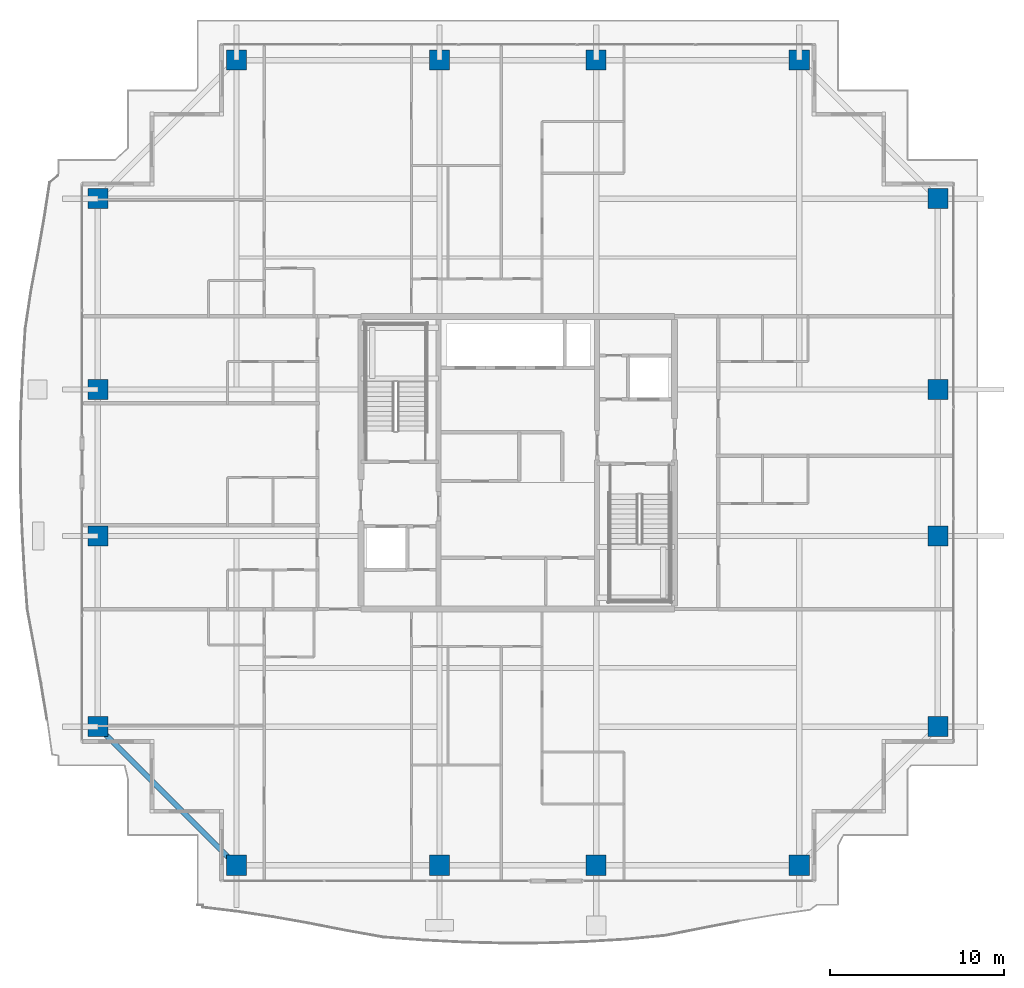
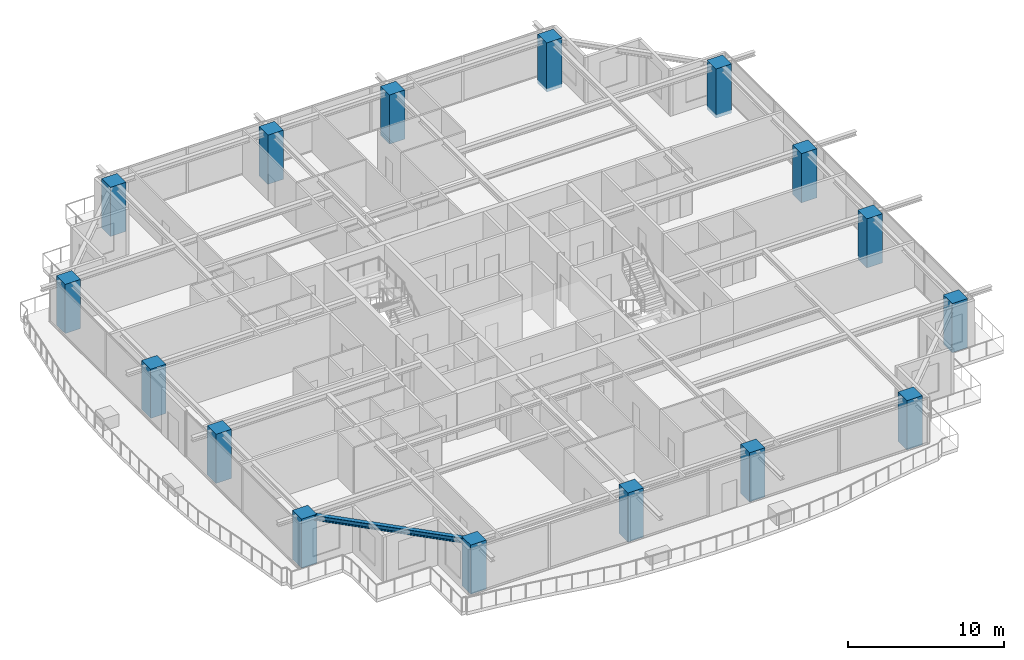
# One storey, part 1 of 36: 16 columns, 1 beam.
"""IFC4 building model written with IfcOpenShell, lengths in metres."""

import ifcopenshell
import ifcopenshell.guid

model = None  # the IFC model being written
_history = None  # IfcOwnerHistory: only IFC2X3 demands one
_inside = {}  # id of a spatial element -> (the spatial element, [elements in it])
_under = {}  # id of a project, library or spatial element -> (it, [spatial elements below it])
_declared = {}  # id of a project -> (the project, [libraries it declares])
_typed = {}  # id of a type object -> (the type object, [elements of that type])
_made_of = {}  # id of a material, layer set ... -> (it, [elements and type objects made of it])


def new_model(schema):
    """Start an empty IFC model of exactly this schema.

    Asked for "IFC4X3", IfcOpenShell would pick the latest addendum, in which some entities
    have other attributes; the version numbers below select the first issue.
    IFC2X3 requires an IfcOwnerHistory on every rooted entity: one is made here for all.
    """
    global model, _history
    if schema == "IFC4X3":
        model = ifcopenshell.file(schema_version=(4, 3, 0, 0))
    else:
        model = ifcopenshell.file(schema=schema)
    _inside.clear()
    _under.clear()
    _declared.clear()
    _typed.clear()
    _made_of.clear()
    _history = None
    if model.schema == "IFC2X3":
        org = make("IfcOrganization", Name="unknown")
        user = make(
            "IfcPersonAndOrganization",
            ThePerson=make("IfcPerson", FamilyName="unknown"),
            TheOrganization=org,
        )
        app = make(
            "IfcApplication",
            ApplicationDeveloper=org,
            Version="unknown",
            ApplicationFullName="unknown",
            ApplicationIdentifier="unknown",
        )
        _history = make(
            "IfcOwnerHistory",
            OwningUser=user,
            OwningApplication=app,
            ChangeAction="ADDED",
            CreationDate=0,
        )
    return model


def make(cls, **values):
    """One entity of the class cls with the attributes given. An attribute that is None is left unset."""
    return model.create_entity(
        cls, **{name: value for name, value in values.items() if value is not None}
    )


def rooted(cls, **values):
    """An entity with a GlobalId (a new one), such as an element, a storey or a relation."""
    return make(cls, GlobalId=ifcopenshell.guid.new(), OwnerHistory=_history, **values)


def si_unit(unit_type, name, prefix=None):
    """IfcSIUnit, for example si_unit("LENGTHUNIT", "METRE", prefix="MILLI")."""
    return make("IfcSIUnit", UnitType=unit_type, Prefix=prefix, Name=name)


def assignment(units):
    """IfcUnitAssignment: the units of a project."""
    return None if units is None else make("IfcUnitAssignment", Units=units)


def point(xyz):
    """IfcCartesianPoint."""
    return None if xyz is None else make("IfcCartesianPoint", Coordinates=xyz)


def direction(xyz):
    """IfcDirection."""
    return None if xyz is None else make("IfcDirection", DirectionRatios=xyz)


def frame(location, z_axis=None, x_axis=None):
    """IfcAxis2Placement3D, a coordinate frame: its origin and axes. An axis left out is left unset."""
    return make(
        "IfcAxis2Placement3D",
        Location=point(location),
        Axis=direction(z_axis),
        RefDirection=direction(x_axis),
    )


def frame_2d(location, x_axis=None):
    """IfcAxis2Placement2D, a coordinate frame in the plane: its origin and x axis."""
    return make(
        "IfcAxis2Placement2D", Location=point(location), RefDirection=direction(x_axis)
    )


def origin():
    """The frame at (0, 0, 0) with its axes left unset."""
    return frame((0.0, 0.0, 0.0))


def origin_2d():
    """The frame at (0, 0) in the plane with its x axis left unset."""
    return frame_2d((0.0, 0.0))


def place(relative_to, where):
    """IfcLocalPlacement: puts the frame where relative to a parent placement (None: the world)."""
    return make(
        "IfcLocalPlacement", PlacementRelTo=relative_to, RelativePlacement=where
    )


def context(
    kind, dimensions, precision=None, world=None, true_north=None, identifier=None
):
    """IfcGeometricRepresentationContext, for example the 3D "Model" context."""
    return make(
        "IfcGeometricRepresentationContext",
        ContextIdentifier=identifier,
        ContextType=kind,
        CoordinateSpaceDimension=dimensions,
        Precision=precision,
        WorldCoordinateSystem=world,
        TrueNorth=true_north,
    )


def subcontext(parent, identifier, kind, view, scale=None):
    """IfcGeometricRepresentationSubContext, for example "Body" below "Model"."""
    return make(
        "IfcGeometricRepresentationSubContext",
        ContextIdentifier=identifier,
        ContextType=kind,
        ParentContext=parent,
        TargetScale=scale,
        TargetView=view,
    )


def project(units=None, contexts=None):
    """IfcProject with its units and contexts."""
    return rooted(
        "IfcProject",
        Name="project",
        RepresentationContexts=contexts,
        UnitsInContext=assignment(units),
    )


def spatial(cls, under=None, at=None, **own):
    """A site, building, storey or space (cls), placed at a placement, below another one or the project."""
    s = rooted(cls, ObjectPlacement=at, **own)
    if under is not None:
        _under.setdefault(under.id(), (under, []))[1].append(s)
    return s


def profile(cls, at=None, kind="AREA", **sizes):
    """A parametric profile (cls). Its sizes go by their IFC names, for example OverallWidth=200.0."""
    return make(cls, ProfileType=kind, Position=at, **sizes)


def rectangle(**sizes):
    """IfcRectangleProfileDef."""
    return profile("IfcRectangleProfileDef", **sizes)


def i_section(**sizes):
    """IfcIShapeProfileDef."""
    return profile("IfcIShapeProfileDef", **sizes)


def extrude(swept, where, along, depth):
    """IfcExtrudedAreaSolid: the profile swept, set in the frame where, extruded along a direction by depth."""
    return make(
        "IfcExtrudedAreaSolid",
        SweptArea=swept,
        Position=where,
        ExtrudedDirection=direction(along),
        Depth=depth,
    )


def shape(context_of_items, identifier, shape_type, items):
    """IfcShapeRepresentation: the items that make up one representation, for example the "Body"."""
    return make(
        "IfcShapeRepresentation",
        ContextOfItems=context_of_items,
        RepresentationIdentifier=identifier,
        RepresentationType=shape_type,
        Items=items,
    )


def source(mapping_origin, context_of_items, identifier, shape_type, items):
    """IfcRepresentationMap: a shape defined once, which mapped items show again and again."""
    return make(
        "IfcRepresentationMap",
        MappingOrigin=mapping_origin,
        MappedRepresentation=shape(context_of_items, identifier, shape_type, items),
    )


def transform(
    local_origin,
    x_axis=None,
    y_axis=None,
    z_axis=None,
    scale=None,
    scale2=None,
    scale3=None,
    uniform=True,
):
    """IfcCartesianTransformationOperator3D, or its non-uniform kind. x_axis, y_axis, z_axis: its Axis1, 2, 3."""
    if uniform:
        return make(
            "IfcCartesianTransformationOperator3D",
            Axis1=direction(x_axis),
            Axis2=direction(y_axis),
            LocalOrigin=point(local_origin),
            Scale=scale,
            Axis3=direction(z_axis),
        )
    return make(
        "IfcCartesianTransformationOperator3DnonUniform",
        Axis1=direction(x_axis),
        Axis2=direction(y_axis),
        LocalOrigin=point(local_origin),
        Scale=scale,
        Axis3=direction(z_axis),
        Scale2=scale2,
        Scale3=scale3,
    )


def mapped(mapping_source, mapping_target):
    """IfcMappedItem: shows the shape of a source again, moved by a transform."""
    return make(
        "IfcMappedItem", MappingSource=mapping_source, MappingTarget=mapping_target
    )


def material(Name=None, Category=None):
    """IfcMaterial."""
    return make("IfcMaterial", Name=Name, Category=Category)


def material_profile(
    of_material, cross_section, Name=None, Category=None, Priority=None
):
    """IfcMaterialProfile: a cross section and its material."""
    return make(
        "IfcMaterialProfile",
        Name=Name,
        Material=of_material,
        Profile=cross_section,
        Priority=Priority,
        Category=Category,
    )


def profile_set(profiles, Name=None, composite=None):
    """IfcMaterialProfileSet."""
    return make(
        "IfcMaterialProfileSet",
        Name=Name,
        MaterialProfiles=profiles,
        CompositeProfile=composite,
    )


def made_of(thing, what):
    """Note that an element or type object is made of a material, layer set ...; save() writes the relation."""
    if what is not None:
        _made_of.setdefault(what.id(), (what, []))[1].append(thing)
    return thing


def type_object(cls, material=None, **own):
    """A type object (cls), such as IfcWallType, which elements share."""
    return made_of(rooted(cls, **own), material)


def element(
    cls,
    number,
    at=None,
    inside=None,
    cuts=None,
    type_object=None,
    material=None,
    context=None,
    identifier="Body",
    shape_type=None,
    held_by="IfcProductDefinitionShape",
    body=None,
    shapes=None,
    **own,
):
    """One element of the class cls, such as IfcWall. Its Tag is "e" and its number.

    at: its placement. inside: the storey or other place that contains it. cuts: it is an
    opening in that element (IfcRelVoidsElement). A single representation is given by context,
    identifier, shape_type and body (its items); several are given by shapes. held_by: the class
    of the entity that holds the representations. save() writes the other relations.
    """
    e = rooted(cls, Tag="e%d" % number, ObjectPlacement=at, **own)
    if body is not None:
        shapes = [shape(context, identifier, shape_type, body)]
    if shapes is not None:
        e.Representation = make(held_by, Representations=shapes)
    if inside is not None:
        _inside.setdefault(inside.id(), (inside, []))[1].append(e)
    if cuts is not None:
        rooted(
            "IfcRelVoidsElement", RelatingBuildingElement=cuts, RelatedOpeningElement=e
        )
    if type_object is not None:
        _typed.setdefault(type_object.id(), (type_object, []))[1].append(e)
    return made_of(e, material)


def aggregate(whole, parts):
    """IfcRelAggregates: a whole, such as a stair, and the parts it consists of."""
    return rooted("IfcRelAggregates", RelatingObject=whole, RelatedObjects=parts)


def save(model, path):
    """Write the relations noted so far, then the file.

    IfcRelAggregates (storeys below a building ...), IfcRelContainedInSpatialStructure (elements
    in a storey), IfcRelDefinesByType, IfcRelAssociatesMaterial and IfcRelDeclares: one each for
    every whole, place, type object, material and project.
    """
    for whole, parts in _under.values():
        aggregate(whole, parts)
    for where, things in _inside.values():
        rooted(
            "IfcRelContainedInSpatialStructure",
            RelatedElements=things,
            RelatingStructure=where,
        )
    for kind, things in _typed.values():
        rooted("IfcRelDefinesByType", RelatedObjects=things, RelatingType=kind)
    for what, things in _made_of.values():
        rooted("IfcRelAssociatesMaterial", RelatedObjects=things, RelatingMaterial=what)
    for by, libraries in _declared.values():
        rooted("IfcRelDeclares", RelatingContext=by, RelatedDefinitions=libraries)
    model.write(path)


model = new_model("IFC4")

# Units and contexts
model_context = context("Model", 3, precision=1e-05, world=origin(), true_north=direction((0.0, 1.0)))
body_context = subcontext(model_context, "Body", "Model", "MODEL_VIEW")
ifc_project = project(units=[si_unit("LENGTHUNIT", "METRE"), si_unit("AREAUNIT", "SQUARE_METRE"), si_unit("VOLUMEUNIT", "CUBIC_METRE"), si_unit("PLANEANGLEUNIT", "RADIAN"), si_unit("MASSUNIT", "GRAM", prefix="KILO")], contexts=[model_context])

# Site, building, storey
site_placement = place(None, origin())
site = spatial("IfcSite", under=ifc_project, at=site_placement, CompositionType="ELEMENT")
building_placement = place(site_placement, origin())
building = spatial("IfcBuilding", under=site, at=building_placement, Name="Serunith Strait Residences", CompositionType="ELEMENT")
storey_placement = place(building_placement, frame((0.0, 0.0, 272.050048828125)))
storey = spatial("IfcBuildingStorey", under=building, at=storey_placement, Name="L68", CompositionType="ELEMENT", Elevation=272.050048828125)

# Columns
ifc_material_1 = material(Name="Concrete C80/95", Category="concrete")
ifc_material_profile_1 = material_profile(ifc_material_1, rectangle(XDim=1.14990234375, YDim=1.14990234375, at=origin_2d()), Name="RC 1150x1150")
ifc_profile_set_1 = profile_set([ifc_material_profile_1], Name="Concrete C80/95")
column_type = type_object("IfcColumnType", Name="COL-RC-1150", PredefinedType="COLUMN", material=ifc_profile_set_1)
shared_shape_1 = source(origin(), body_context, "Body", "SweptSolid", [
    extrude(rectangle(XDim=1.14990234375, YDim=1.14990234375, at=origin_2d()), origin(), (0.0, 0.0, 1.0), 3.849853515625),
])
for number, where, z_axis, x_axis, name in (
    (1, (16.25, 2.10009765625, -0.260009765625), (0.0, 0.0, 1.0), (1.0, 0.0, 0.0), "L68 Tower Mega-Column TC-S1"),
    (2, (27.89990234375, 2.10009765625, -0.260009765625), (0.0, 0.0, 1.0), (1.0, 0.0, 0.0), "L68 Tower Mega-Column TC-S2"),
    (3, (36.89990234375, 2.10009765625, -0.260009765625), (0.0, 0.0, 1.0), (1.0, 0.0, 0.0), "L68 Tower Mega-Column TC-S3"),
    (4, (48.550048828125, 2.10009765625, -0.260009765625), (0.0, 0.0, 1.0), (1.0, 0.0, 0.0), "L68 Tower Mega-Column TC-S4"),
    (5, (16.25, 48.300048828125, -0.260009765625), (0.0, 0.0, 1.0), (1.0, 0.0, 0.0), "L68 Tower Mega-Column TC-N1"),
    (6, (27.89990234375, 48.300048828125, -0.260009765625), (0.0, 0.0, 1.0), (1.0, 0.0, 0.0), "L68 Tower Mega-Column TC-N2"),
    (7, (36.89990234375, 48.300048828125, -0.260009765625), (0.0, 0.0, 1.0), (1.0, 0.0, 0.0), "L68 Tower Mega-Column TC-N3"),
    (8, (48.550048828125, 48.300048828125, -0.260009765625), (0.0, 0.0, 1.0), (1.0, 0.0, 0.0), "L68 Tower Mega-Column TC-N4"),
    (9, (56.5, 10.050048828125, -0.260009765625), (0.0, 0.0, 1.0), (1.0, 0.0, 0.0), "L68 Tower Mega-Column TC-E1"),
    (10, (56.5, 21.0, -0.260009765625), (0.0, 0.0, 1.0), (1.0, 0.0, 0.0), "L68 Tower Mega-Column TC-E2"),
    (11, (56.5, 29.39990234375, -0.260009765625), (0.0, 0.0, 1.0), (1.0, 0.0, 0.0), "L68 Tower Mega-Column TC-E3"),
    (12, (56.5, 40.35009765625, -0.260009765625), (0.0, 0.0, 1.0), (1.0, 0.0, 0.0), "L68 Tower Mega-Column TC-E4"),
    (13, (8.300048828125, 10.050048828125, -0.260009765625), (0.0, 0.0, 1.0), (1.0, 0.0, 0.0), "L68 Tower Mega-Column TC-W1"),
    (14, (8.300048828125, 21.0, -0.260009765625), (0.0, 0.0, 1.0), (1.0, 0.0, 0.0), "L68 Tower Mega-Column TC-W2"),
    (15, (8.300048828125, 29.39990234375, -0.260009765625), (0.0, 0.0, 1.0), (1.0, 0.0, 0.0), "L68 Tower Mega-Column TC-W3"),
    (16, (8.300048828125, 40.35009765625, -0.260009765625), (0.0, 0.0, 1.0), (1.0, 0.0, 0.0), "L68 Tower Mega-Column TC-W4"),
):
    element("IfcColumn", number, at=place(storey_placement, frame(where, z_axis=z_axis, x_axis=x_axis)), inside=storey, type_object=column_type, Name=name, PredefinedType="COLUMN", context=body_context, shape_type="MappedRepresentation", body=[
        mapped(shared_shape_1, transform((0.0, 0.0, 0.0), scale=1.0)),
    ])

# Beam
ifc_material_2 = material(Name="Steel S355J2", Category="steel")
ifc_material_profile_2 = material_profile(ifc_material_2, i_section(OverallWidth=0.300048828125, OverallDepth=0.39990234375, WebThickness=0.013427734375, FlangeThickness=0.02392578125, FilletRadius=0.027099609375, at=origin_2d()), Name="HEB 400")
ifc_profile_set_2 = profile_set([ifc_material_profile_2], Name="Steel S355J2")
beam_type = type_object("IfcBeamType", Name="BM-HEB400", PredefinedType="BEAM", material=ifc_profile_set_2)
shared_shape_2 = source(origin(), body_context, "Body", "SweptSolid", [
    extrude(i_section(OverallWidth=0.300048828125, OverallDepth=0.39990234375, WebThickness=0.013427734375, FlangeThickness=0.02392578125, FilletRadius=0.027099609375, at=origin_2d()), origin(), (0.0, 0.0, 1.0), 11.242919921875),
])
beam_placement = place(storey_placement, frame((8.300048828125, 10.050048828125, 3.35693359375), z_axis=(0.707106781187, -0.707106781187, 0.0), x_axis=(0.707106781187, 0.707106781187, 0.0)))
element("IfcBeam", 17, at=beam_placement, inside=storey, type_object=beam_type, Name="L68 Perimeter Ring Beam 16", PredefinedType="BEAM", context=body_context, shape_type="MappedRepresentation", body=[
    mapped(shared_shape_2, transform((0.0, 0.0, 0.0), scale=1.0)),
])

save(model, "model.ifc")
